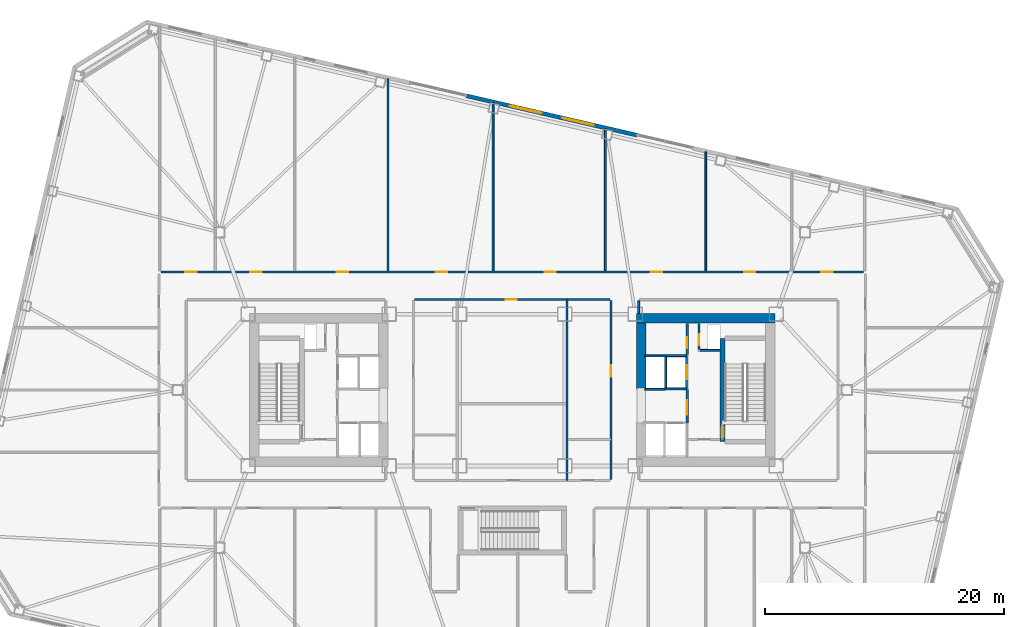
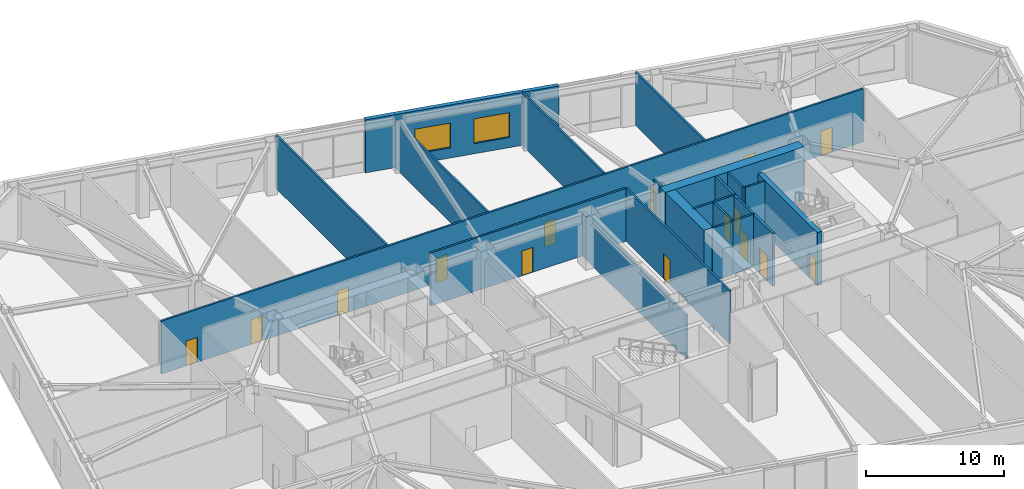
# One storey, part 12 of 20: 23 walls, 15 doors, 2 windows, 17 openings.
"""IFC4 building model written with IfcOpenShell, lengths in metres."""

from ifc_helpers import new_model, si_unit, direction, frame, frame_2d, origin, place, context, subcontext, project, spatial, rectangle, extrude, material, layer, layer_set, type_object, element, fill, save


model = new_model("IFC4")

# Units and contexts
model_context = context("Model", 3, precision=1e-05, world=origin(), true_north=direction((0.0, 1.0)))
body_context = subcontext(model_context, "Body", "Model", "MODEL_VIEW")
ifc_project = project(units=[si_unit("LENGTHUNIT", "METRE"), si_unit("AREAUNIT", "SQUARE_METRE"), si_unit("VOLUMEUNIT", "CUBIC_METRE"), si_unit("PLANEANGLEUNIT", "RADIAN"), si_unit("MASSUNIT", "GRAM", prefix="KILO")], contexts=[model_context])

# Site, building, storey
site_placement = place(None, origin())
site = spatial("IfcSite", under=ifc_project, at=site_placement, CompositionType="ELEMENT")
building_placement = place(site_placement, origin())
building = spatial("IfcBuilding", under=site, at=building_placement, Name="Tavrogorsk Clinical Tower", CompositionType="ELEMENT")
storey_placement = place(building_placement, frame((0.0, 0.0, 13.39990234375)))
storey = spatial("IfcBuildingStorey", under=building, at=storey_placement, Name="L02", CompositionType="ELEMENT", Elevation=13.39990234375)

# Wall, opening, door
ifc_material_1 = material(Name="Concrete B60", Category="concrete")
ifc_layer_1 = layer(ifc_material_1, 0.199951171875)
ifc_layer_set_1 = layer_set([ifc_layer_1], Name="Concrete B60")
wall_type_1 = type_object("IfcWallType", Name="CoreFireWall_200", PredefinedType="SOLIDWALL", material=ifc_layer_set_1)
wall_1_placement = place(storey_placement, frame((14.639892578125, 2.9599609375, 0.0), z_axis=(0.0, 0.0, 1.0), x_axis=(0.0, 1.0, 0.0)))
wall_1 = element("IfcWall", 1, at=wall_1_placement, inside=storey, type_object=wall_type_1, Name="L02 Core East North Core Room East Wall", PredefinedType="SOLIDWALL", context=body_context, shape_type="SweptSolid", body=[
    extrude(rectangle(XDim=2.60009765625, YDim=0.199951171875, at=frame_2d((1.300048828125, 0.0))), origin(), (0.0, 0.0, 1.0), 4.7001953125),
])
opening_1_placement = place(wall_1_placement, frame((0.52001953125, 0.0, 0.0)))
opening_1 = element("IfcOpeningElement", 2, at=opening_1_placement, cuts=wall_1, Name="Opening ID-02", PredefinedType="OPENING", context=body_context, shape_type="SweptSolid", body=[
    extrude(rectangle(XDim=0.949951171875, YDim=2.199951171875, at=frame_2d((0.47509765625, 1.10009765625))), frame((0.0, 0.10986328125, 0.0), z_axis=(0.0, -1.0, 0.0), x_axis=(1.0, 0.0, 0.0)), (0.0, 0.0, 1.0), 0.219970703125),
])
ifc_material_2 = material(Name="Laminated timber leaf on aluminium frame", Category="wood")
door_type_1 = type_object("IfcDoorType", Name="InteriorDoor_ID02_950", OperationType="NOTDEFINED", PredefinedType="DOOR", material=ifc_material_2)
door_1_placement = place(opening_1_placement, origin())
door_1 = element("IfcDoor", 3, at=door_1_placement, inside=storey, type_object=door_type_1, Name="L02 Core East Core Telemetry Room Door", OperationType="SINGLE_SWING_LEFT", OverallHeight=2.199951171875, OverallWidth=0.949951171875, PredefinedType="DOOR", context=body_context, shape_type="SweptSolid", body=[
    extrude(rectangle(XDim=0.949951171875, YDim=2.199951171875, at=frame_2d((0.47509765625, 1.10009765625))), frame((0.0, 0.02490234375, 0.0), z_axis=(0.0, -1.0, 0.0), x_axis=(1.0, 0.0, 0.0)), (0.0, 0.0, 1.0), 0.050048828125),
])
fill(opening_1, door_1)

wall_2_placement = place(storey_placement, frame((14.639892578125, -2.780029296875, 0.0), z_axis=(0.0, 0.0, 1.0), x_axis=(0.0, 1.0, 0.0)))
wall_2 = element("IfcWall", 4, at=wall_2_placement, inside=storey, type_object=wall_type_1, Name="L02 Core East Firefighting Lobby Fire Wall", PredefinedType="SOLIDWALL", context=body_context, shape_type="SweptSolid", body=[
    extrude(rectangle(XDim=2.820068359375, YDim=0.199951171875, at=frame_2d((1.41015625, 0.0))), origin(), (0.0, 0.0, 1.0), 4.7001953125),
])
opening_2_placement = place(wall_2_placement, frame((0.72998046875, 0.0, 0.0)))
opening_2 = element("IfcOpeningElement", 5, at=opening_2_placement, cuts=wall_2, Name="Opening FD-01", PredefinedType="OPENING", context=body_context, shape_type="SweptSolid", body=[
    extrude(rectangle(XDim=1.199951171875, YDim=2.199951171875, at=frame_2d((0.60009765625, 1.10009765625))), frame((0.0, 0.10986328125, 0.0), z_axis=(0.0, -1.0, 0.0), x_axis=(1.0, 0.0, 0.0)), (0.0, 0.0, 1.0), 0.219970703125),
])
ifc_material_3 = material(Name="Galvanised steel fire-rated door assembly", Category="steel")
door_type_2 = type_object("IfcDoorType", Name="FireDoor_FD01_1200", OperationType="NOTDEFINED", PredefinedType="DOOR", material=ifc_material_3)
door_2_placement = place(opening_2_placement, origin())
door_2 = element("IfcDoor", 6, at=door_2_placement, inside=storey, type_object=door_type_2, Name="L02 Core East Firefighting Lobby Entry Door", OperationType="SINGLE_SWING_RIGHT", OverallHeight=2.199951171875, OverallWidth=1.199951171875, PredefinedType="DOOR", context=body_context, shape_type="SweptSolid", body=[
    extrude(rectangle(XDim=1.199951171875, YDim=2.199951171875, at=frame_2d((0.60009765625, 1.10009765625))), frame((0.0, 0.02490234375, 0.0), z_axis=(0.0, -1.0, 0.0), x_axis=(1.0, 0.0, 0.0)), (0.0, 0.0, 1.0), 0.050048828125),
])
fill(opening_2, door_2)

# Wall, openings, doors
ifc_material_4 = material(Name="Lightweight concrete blockwork B15", Category="masonry")
ifc_layer_2 = layer(ifc_material_4, 0.159912109375)
ifc_layer_set_2 = layer_set([ifc_layer_2], Name="Lightweight concrete blockwork B15")
wall_type_2 = type_object("IfcWallType", Name="PartitionWall_160", PredefinedType="PARTITIONING", material=ifc_layer_set_2)
wall_3_placement = place(storey_placement, frame((-29.4150390625, 9.8798828125, 0.0), z_axis=(0.0, 0.0, 1.0), x_axis=(1.0, 0.0, 0.0)))
wall_3 = element("IfcWall", 7, at=wall_3_placement, inside=storey, type_object=wall_type_2, Name="L02 Corridor Partition 02", PredefinedType="PARTITIONING", context=body_context, shape_type="SweptSolid", body=[
    extrude(rectangle(XDim=58.830078125, YDim=0.159912109375, at=frame_2d((29.4150390625, 0.0))), origin(), (0.0, 0.0, 1.0), 4.7001953125),
])
opening_3_placement = place(wall_3_placement, frame((2.044189453125, 0.0, 0.0)))
opening_3 = element("IfcOpeningElement", 8, at=opening_3_placement, cuts=wall_3, Name="Opening ID-02", PredefinedType="OPENING", context=body_context, shape_type="SweptSolid", body=[
    extrude(rectangle(XDim=0.949951171875, YDim=2.199951171875, at=frame_2d((0.47509765625, 1.10009765625))), frame((0.0, 0.08984375, 0.0), z_axis=(0.0, -1.0, 0.0), x_axis=(1.0, 0.0, 0.0)), (0.0, 0.0, 1.0), 0.179931640625),
])
opening_4_placement = place(wall_3_placement, frame((7.5, 0.0, 0.0)))
opening_4 = element("IfcOpeningElement", 9, at=opening_4_placement, cuts=wall_3, Name="Opening ID-02", PredefinedType="OPENING", context=body_context, shape_type="SweptSolid", body=[
    extrude(rectangle(XDim=0.949951171875, YDim=2.199951171875, at=frame_2d((0.47509765625, 1.10009765625))), frame((0.0, 0.08984375, 0.0), z_axis=(0.0, -1.0, 0.0), x_axis=(1.0, 0.0, 0.0)), (0.0, 0.0, 1.0), 0.179931640625),
])
opening_5_placement = place(wall_3_placement, frame((14.72509765625, 0.0, 0.0)))
opening_5 = element("IfcOpeningElement", 10, at=opening_5_placement, cuts=wall_3, Name="Opening ID-02", PredefinedType="OPENING", context=body_context, shape_type="SweptSolid", body=[
    extrude(rectangle(XDim=0.949951171875, YDim=2.199951171875, at=frame_2d((0.47509765625, 1.10009765625))), frame((0.0, 0.08984375, 0.0), z_axis=(0.0, -1.0, 0.0), x_axis=(1.0, 0.0, 0.0)), (0.0, 0.0, 1.0), 0.179931640625),
])
opening_6_placement = place(wall_3_placement, frame((23.02490234375, 0.0, 0.0)))
opening_6 = element("IfcOpeningElement", 11, at=opening_6_placement, cuts=wall_3, Name="Opening ID-02", PredefinedType="OPENING", context=body_context, shape_type="SweptSolid", body=[
    extrude(rectangle(XDim=0.949951171875, YDim=2.199951171875, at=frame_2d((0.47509765625, 1.10009765625))), frame((0.0, 0.08984375, 0.0), z_axis=(0.0, -1.0, 0.0), x_axis=(1.0, 0.0, 0.0)), (0.0, 0.0, 1.0), 0.179931640625),
])
opening_7_placement = place(wall_3_placement, frame((32.125, 0.0, 0.0)))
opening_7 = element("IfcOpeningElement", 12, at=opening_7_placement, cuts=wall_3, Name="Opening ID-02", PredefinedType="OPENING", context=body_context, shape_type="SweptSolid", body=[
    extrude(rectangle(XDim=0.949951171875, YDim=2.199951171875, at=frame_2d((0.47509765625, 1.10009765625))), frame((0.0, 0.08984375, 0.0), z_axis=(0.0, -1.0, 0.0), x_axis=(1.0, 0.0, 0.0)), (0.0, 0.0, 1.0), 0.179931640625),
])
opening_8_placement = place(wall_3_placement, frame((41.02490234375, 0.0, 0.0)))
opening_8 = element("IfcOpeningElement", 13, at=opening_8_placement, cuts=wall_3, Name="Opening ID-02", PredefinedType="OPENING", context=body_context, shape_type="SweptSolid", body=[
    extrude(rectangle(XDim=0.949951171875, YDim=2.199951171875, at=frame_2d((0.47509765625, 1.10009765625))), frame((0.0, 0.08984375, 0.0), z_axis=(0.0, -1.0, 0.0), x_axis=(1.0, 0.0, 0.0)), (0.0, 0.0, 1.0), 0.179931640625),
])
opening_9_placement = place(wall_3_placement, frame((48.824951171875, 0.0, 0.0)))
opening_9 = element("IfcOpeningElement", 14, at=opening_9_placement, cuts=wall_3, Name="Opening ID-02", PredefinedType="OPENING", context=body_context, shape_type="SweptSolid", body=[
    extrude(rectangle(XDim=0.949951171875, YDim=2.199951171875, at=frame_2d((0.47509765625, 1.10009765625))), frame((0.0, 0.08984375, 0.0), z_axis=(0.0, -1.0, 0.0), x_axis=(1.0, 0.0, 0.0)), (0.0, 0.0, 1.0), 0.179931640625),
])
opening_10_placement = place(wall_3_placement, frame((55.281005859375, 0.0, 0.0)))
opening_10 = element("IfcOpeningElement", 15, at=opening_10_placement, cuts=wall_3, Name="Opening ID-02", PredefinedType="OPENING", context=body_context, shape_type="SweptSolid", body=[
    extrude(rectangle(XDim=0.949951171875, YDim=2.199951171875, at=frame_2d((0.47509765625, 1.10009765625))), frame((0.0, 0.08984375, 0.0), z_axis=(0.0, -1.0, 0.0), x_axis=(1.0, 0.0, 0.0)), (0.0, 0.0, 1.0), 0.179931640625),
])
door_3_placement = place(opening_3_placement, origin())
door_3 = element("IfcDoor", 16, at=door_3_placement, inside=storey, type_object=door_type_1, Name="L02 North Clinical Pathology Laboratory 01 Door", OperationType="SINGLE_SWING_LEFT", OverallHeight=2.199951171875, OverallWidth=0.949951171875, PredefinedType="DOOR", context=body_context, shape_type="SweptSolid", body=[
    extrude(rectangle(XDim=0.949951171875, YDim=2.199951171875, at=frame_2d((0.47509765625, 1.10009765625))), frame((0.0, 0.02490234375, 0.0), z_axis=(0.0, -1.0, 0.0), x_axis=(1.0, 0.0, 0.0)), (0.0, 0.0, 1.0), 0.050048828125),
])
fill(opening_3, door_3)
door_4_placement = place(opening_4_placement, origin())
door_4 = element("IfcDoor", 17, at=door_4_placement, inside=storey, type_object=door_type_1, Name="L02 North Blood Bank & Transfusion Store 02 Door", OperationType="SINGLE_SWING_RIGHT", OverallHeight=2.199951171875, OverallWidth=0.949951171875, PredefinedType="DOOR", context=body_context, shape_type="SweptSolid", body=[
    extrude(rectangle(XDim=0.949951171875, YDim=2.199951171875, at=frame_2d((0.47509765625, 1.10009765625))), frame((0.0, 0.02490234375, 0.0), z_axis=(0.0, -1.0, 0.0), x_axis=(1.0, 0.0, 0.0)), (0.0, 0.0, 1.0), 0.050048828125),
])
fill(opening_4, door_4)
door_5_placement = place(opening_5_placement, origin())
door_5 = element("IfcDoor", 18, at=door_5_placement, inside=storey, type_object=door_type_1, Name="L02 North Clinical Pathology Laboratory 03 Door", OperationType="SINGLE_SWING_LEFT", OverallHeight=2.199951171875, OverallWidth=0.949951171875, PredefinedType="DOOR", context=body_context, shape_type="SweptSolid", body=[
    extrude(rectangle(XDim=0.949951171875, YDim=2.199951171875, at=frame_2d((0.47509765625, 1.10009765625))), frame((0.0, 0.02490234375, 0.0), z_axis=(0.0, -1.0, 0.0), x_axis=(1.0, 0.0, 0.0)), (0.0, 0.0, 1.0), 0.050048828125),
])
fill(opening_5, door_5)
door_6_placement = place(opening_6_placement, origin())
door_6 = element("IfcDoor", 19, at=door_6_placement, inside=storey, type_object=door_type_1, Name="L02 North Blood Bank & Transfusion Store 04 Door", OperationType="SINGLE_SWING_RIGHT", OverallHeight=2.199951171875, OverallWidth=0.949951171875, PredefinedType="DOOR", context=body_context, shape_type="SweptSolid", body=[
    extrude(rectangle(XDim=0.949951171875, YDim=2.199951171875, at=frame_2d((0.47509765625, 1.10009765625))), frame((0.0, 0.02490234375, 0.0), z_axis=(0.0, -1.0, 0.0), x_axis=(1.0, 0.0, 0.0)), (0.0, 0.0, 1.0), 0.050048828125),
])
fill(opening_6, door_6)
door_7_placement = place(opening_7_placement, origin())
door_7 = element("IfcDoor", 20, at=door_7_placement, inside=storey, type_object=door_type_1, Name="L02 North Clinical Pathology Laboratory 05 Door", OperationType="SINGLE_SWING_LEFT", OverallHeight=2.199951171875, OverallWidth=0.949951171875, PredefinedType="DOOR", context=body_context, shape_type="SweptSolid", body=[
    extrude(rectangle(XDim=0.949951171875, YDim=2.199951171875, at=frame_2d((0.47509765625, 1.10009765625))), frame((0.0, 0.02490234375, 0.0), z_axis=(0.0, -1.0, 0.0), x_axis=(1.0, 0.0, 0.0)), (0.0, 0.0, 1.0), 0.050048828125),
])
fill(opening_7, door_7)
door_8_placement = place(opening_8_placement, origin())
door_8 = element("IfcDoor", 21, at=door_8_placement, inside=storey, type_object=door_type_1, Name="L02 North Blood Bank & Transfusion Store 06 Door", OperationType="SINGLE_SWING_RIGHT", OverallHeight=2.199951171875, OverallWidth=0.949951171875, PredefinedType="DOOR", context=body_context, shape_type="SweptSolid", body=[
    extrude(rectangle(XDim=0.949951171875, YDim=2.199951171875, at=frame_2d((0.47509765625, 1.10009765625))), frame((0.0, 0.02490234375, 0.0), z_axis=(0.0, -1.0, 0.0), x_axis=(1.0, 0.0, 0.0)), (0.0, 0.0, 1.0), 0.050048828125),
])
fill(opening_8, door_8)
door_9_placement = place(opening_9_placement, origin())
door_9 = element("IfcDoor", 22, at=door_9_placement, inside=storey, type_object=door_type_1, Name="L02 North Clinical Pathology Laboratory 07 Door", OperationType="SINGLE_SWING_LEFT", OverallHeight=2.199951171875, OverallWidth=0.949951171875, PredefinedType="DOOR", context=body_context, shape_type="SweptSolid", body=[
    extrude(rectangle(XDim=0.949951171875, YDim=2.199951171875, at=frame_2d((0.47509765625, 1.10009765625))), frame((0.0, 0.02490234375, 0.0), z_axis=(0.0, -1.0, 0.0), x_axis=(1.0, 0.0, 0.0)), (0.0, 0.0, 1.0), 0.050048828125),
])
fill(opening_9, door_9)
door_10_placement = place(opening_10_placement, origin())
door_10 = element("IfcDoor", 23, at=door_10_placement, inside=storey, type_object=door_type_1, Name="L02 North Blood Bank & Transfusion Store 08 Door", OperationType="SINGLE_SWING_RIGHT", OverallHeight=2.199951171875, OverallWidth=0.949951171875, PredefinedType="DOOR", context=body_context, shape_type="SweptSolid", body=[
    extrude(rectangle(XDim=0.949951171875, YDim=2.199951171875, at=frame_2d((0.47509765625, 1.10009765625))), frame((0.0, 0.02490234375, 0.0), z_axis=(0.0, -1.0, 0.0), x_axis=(1.0, 0.0, 0.0)), (0.0, 0.0, 1.0), 0.050048828125),
])
fill(opening_10, door_10)

# Wall
wall_4_placement = place(storey_placement, frame((10.580078125, 7.485107421875, 0.0), z_axis=(0.0, 0.0, 1.0), x_axis=(0.0, -1.0, 0.0)))
element("IfcWall", 24, at=wall_4_placement, inside=storey, type_object=wall_type_2, Name="L02 Corridor Partition 13", PredefinedType="PARTITIONING", context=body_context, shape_type="SweptSolid", body=[
    extrude(rectangle(XDim=1.065185546875, YDim=0.159912109375, at=frame_2d((0.53271484375, 0.0))), origin(), (0.0, 0.0, 1.0), 4.7001953125),
])

# Wall, opening, door
wall_5_placement = place(storey_placement, frame((8.18505859375, 7.570068359375, 0.0), z_axis=(0.0, 0.0, 1.0), x_axis=(-1.0, 0.0, 0.0)))
wall_5 = element("IfcWall", 25, at=wall_5_placement, inside=storey, type_object=wall_type_2, Name="L02 Corridor Partition 17", PredefinedType="PARTITIONING", context=body_context, shape_type="SweptSolid", body=[
    extrude(rectangle(XDim=16.3701171875, YDim=0.159912109375, at=frame_2d((8.18505859375, 0.0))), origin(), (0.0, 0.0, 1.0), 4.7001953125),
])
opening_11_placement = place(wall_5_placement, frame((7.794921875, 0.0, 0.0)))
opening_11 = element("IfcOpeningElement", 26, at=opening_11_placement, cuts=wall_5, Name="Opening ID-02", PredefinedType="OPENING", context=body_context, shape_type="SweptSolid", body=[
    extrude(rectangle(XDim=0.949951171875, YDim=2.199951171875, at=frame_2d((0.47509765625, 1.10009765625))), frame((0.0, 0.08984375, 0.0), z_axis=(0.0, -1.0, 0.0), x_axis=(1.0, 0.0, 0.0)), (0.0, 0.0, 1.0), 0.179931640625),
])
door_11_placement = place(opening_11_placement, origin())
door_11 = element("IfcDoor", 27, at=door_11_placement, inside=storey, type_object=door_type_1, Name="L02 Nurses' Station & Triage Hub Door", OperationType="SINGLE_SWING_LEFT", OverallHeight=2.199951171875, OverallWidth=0.949951171875, PredefinedType="DOOR", context=body_context, shape_type="SweptSolid", body=[
    extrude(rectangle(XDim=0.949951171875, YDim=2.199951171875, at=frame_2d((0.47509765625, 1.10009765625))), frame((0.0, 0.02490234375, 0.0), z_axis=(0.0, -1.0, 0.0), x_axis=(1.0, 0.0, 0.0)), (0.0, 0.0, 1.0), 0.050048828125),
])
fill(opening_11, door_11)

wall_6_placement = place(storey_placement, frame((8.27001953125, -7.485107421875, 0.0), z_axis=(0.0, 0.0, 1.0), x_axis=(0.0, 1.0, 0.0)))
wall_6 = element("IfcWall", 28, at=wall_6_placement, inside=storey, type_object=wall_type_2, Name="L02 Corridor Partition 20", PredefinedType="PARTITIONING", context=body_context, shape_type="SweptSolid", body=[
    extrude(rectangle(XDim=14.97021484375, YDim=0.159912109375, at=frame_2d((7.485107421875, 0.0))), origin(), (0.0, 0.0, 1.0), 4.7001953125),
])
opening_12_placement = place(wall_6_placement, frame((8.61083984375, 0.0, 0.0)))
opening_12 = element("IfcOpeningElement", 29, at=opening_12_placement, cuts=wall_6, Name="Opening ID-02", PredefinedType="OPENING", context=body_context, shape_type="SweptSolid", body=[
    extrude(rectangle(XDim=0.949951171875, YDim=2.199951171875, at=frame_2d((0.47509765625, 1.10009765625))), frame((0.0, 0.08984375, 0.0), z_axis=(0.0, -1.0, 0.0), x_axis=(1.0, 0.0, 0.0)), (0.0, 0.0, 1.0), 0.179931640625),
])
door_12_placement = place(opening_12_placement, origin())
door_12 = element("IfcDoor", 30, at=door_12_placement, inside=storey, type_object=door_type_1, Name="L02 Attending Physician Office Door", OperationType="SINGLE_SWING_LEFT", OverallHeight=2.199951171875, OverallWidth=0.949951171875, PredefinedType="DOOR", context=body_context, shape_type="SweptSolid", body=[
    extrude(rectangle(XDim=0.949951171875, YDim=2.199951171875, at=frame_2d((0.47509765625, 1.10009765625))), frame((0.0, 0.02490234375, 0.0), z_axis=(0.0, -1.0, 0.0), x_axis=(1.0, 0.0, 0.0)), (0.0, 0.0, 1.0), 0.050048828125),
])
fill(opening_12, door_12)

# Walls
wall_7_placement = place(storey_placement, frame((-10.39990234375, 9.965087890625, 0.0), z_axis=(0.0, 0.0, 1.0), x_axis=(0.0, 1.0, 0.0)))
element("IfcWall", 31, at=wall_7_placement, inside=storey, type_object=wall_type_2, Name="L02 North Room Partition 3", PredefinedType="PARTITIONING", context=body_context, shape_type="SweptSolid", body=[
    extrude(rectangle(XDim=16.10888671875, YDim=0.159912109375, at=frame_2d((8.054443359375, 0.0))), origin(), (0.0, 0.0, 1.0), 4.7001953125),
])
wall_8_placement = place(storey_placement, frame((-1.60009765625, 9.965087890625, 0.0), z_axis=(0.0, 0.0, 1.0), x_axis=(0.0, 1.0, 0.0)))
element("IfcWall", 32, at=wall_8_placement, inside=storey, type_object=wall_type_2, Name="L02 North Room Partition 4", PredefinedType="PARTITIONING", context=body_context, shape_type="SweptSolid", body=[
    extrude(rectangle(XDim=14.077392578125, YDim=0.159912109375, at=frame_2d((7.03857421875, 0.0))), origin(), (0.0, 0.0, 1.0), 4.195068359375),
])
wall_9_placement = place(storey_placement, frame((7.800048828125, 9.965087890625, 0.0), z_axis=(0.0, 0.0, 1.0), x_axis=(0.0, 1.0, 0.0)))
element("IfcWall", 33, at=wall_9_placement, inside=storey, type_object=wall_type_2, Name="L02 North Room Partition 5", PredefinedType="PARTITIONING", context=body_context, shape_type="SweptSolid", body=[
    extrude(rectangle(XDim=11.9072265625, YDim=0.159912109375, at=frame_2d((5.95361328125, 0.0))), origin(), (0.0, 0.0, 1.0), 4.7001953125),
])
wall_10_placement = place(storey_placement, frame((16.199951171875, 9.965087890625, 0.0), z_axis=(0.0, 0.0, 1.0), x_axis=(0.0, 1.0, 0.0)))
element("IfcWall", 34, at=wall_10_placement, inside=storey, type_object=wall_type_2, Name="L02 North Room Partition 6", PredefinedType="PARTITIONING", context=body_context, shape_type="SweptSolid", body=[
    extrude(rectangle(XDim=9.9677734375, YDim=0.159912109375, at=frame_2d((4.98388671875, 0.0))), origin(), (0.0, 0.0, 1.0), 4.7001953125),
])
ifc_material_5 = material(Name="Lightweight concrete blockwork B20", Category="masonry")
ifc_layer_3 = layer(ifc_material_5, 0.179931640625)
ifc_layer_set_3 = layer_set([ifc_layer_3], Name="Lightweight concrete blockwork B20")
wall_type_3 = type_object("IfcWallType", Name="PartitionWall_180", PredefinedType="PARTITIONING", material=ifc_layer_set_3)
wall_11_placement = place(storey_placement, frame((4.60009765625, -7.56494140625, 0.0), z_axis=(0.0, 0.0, 1.0), x_axis=(0.0, 1.0, 0.0)))
element("IfcWall", 35, at=wall_11_placement, inside=storey, type_object=wall_type_3, Name="L02 Central Spine Partition 2", PredefinedType="PARTITIONING", context=body_context, shape_type="SweptSolid", body=[
    extrude(rectangle(XDim=15.1298828125, YDim=0.179931640625, at=frame_2d((7.56494140625, 0.0))), origin(), (0.0, 0.0, 1.0), 3.89501953125),
])

# Wall, openings, windows
ifc_material_6 = material(Name="Precast concrete B45 with limestone cladding", Category="masonry")
ifc_layer_4 = layer(ifc_material_6, 0.340087890625)
ifc_layer_set_4 = layer_set([ifc_layer_4], Name="Precast concrete B45 with limestone cladding")
wall_type_4 = type_object("IfcWallType", Name="PrecastLimestoneWall_340", PredefinedType="STANDARD", material=ifc_layer_set_4)
wall_12_placement = place(storey_placement, frame((10.480712890625, 21.3251953125, 0.0), z_axis=(0.0, 0.0, 1.0), x_axis=(-0.974369353393, 0.2249541357, 0.0)))
wall_12 = element("IfcWall", 36, at=wall_12_placement, inside=storey, type_object=wall_type_4, Name="L02 N Limestone Facade Wall 2", PredefinedType="STANDARD", context=body_context, shape_type="SweptSolid", body=[
    extrude(rectangle(XDim=14.697021484375, YDim=0.340087890625, at=frame_2d((7.3486328125, 0.0))), origin(), (0.0, 0.0, 1.0), 4.7001953125),
])
opening_13_placement = place(wall_12_placement, frame((8.24072265625, 0.0, 0.89990234375)))
opening_13 = element("IfcOpeningElement", 37, at=opening_13_placement, cuts=wall_12, Name="Opening WN-02", PredefinedType="OPENING", context=body_context, shape_type="SweptSolid", body=[
    extrude(rectangle(XDim=2.699951171875, YDim=2.199951171875, at=frame_2d((1.35009765625, 1.10009765625))), frame((0.0, 0.179931640625, 0.0), z_axis=(0.0, -1.0, 0.0), x_axis=(1.0, 0.0, 0.0)), (0.0, 0.0, 1.0), 0.360107421875),
])
opening_14_placement = place(wall_12_placement, frame((3.75634765625, 0.0, 0.89990234375)))
opening_14 = element("IfcOpeningElement", 38, at=opening_14_placement, cuts=wall_12, Name="Opening WN-02", PredefinedType="OPENING", context=body_context, shape_type="SweptSolid", body=[
    extrude(rectangle(XDim=2.699951171875, YDim=2.199951171875, at=frame_2d((1.35009765625, 1.10009765625))), frame((0.0, 0.179931640625, 0.0), z_axis=(0.0, -1.0, 0.0), x_axis=(1.0, 0.0, 0.0)), (0.0, 0.0, 1.0), 0.360107421875),
])
ifc_material_7 = material(Name="Thermally broken aluminium frame and triple IGU", Category="aluminium")
window_type = type_object("IfcWindowType", Name="WardChicagoWin_2700x2200", PartitioningType="TRIPLE_PANEL_HORIZONTAL", PredefinedType="WINDOW", material=ifc_material_7)
window_1_placement = place(opening_13_placement, origin())
window_1 = element("IfcWindow", 39, at=window_1_placement, inside=storey, type_object=window_type, Name="L02 N Chicago Window 05", OverallHeight=2.199951171875, OverallWidth=2.699951171875, PartitioningType="SINGLE_PANEL", PredefinedType="WINDOW", context=body_context, shape_type="SweptSolid", body=[
    extrude(rectangle(XDim=2.699951171875, YDim=2.199951171875, at=frame_2d((1.35009765625, 1.10009765625))), frame((0.0, 0.030029296875, 0.0), z_axis=(0.0, -1.0, 0.0), x_axis=(1.0, 0.0, 0.0)), (0.0, 0.0, 1.0), 0.06005859375),
])
fill(opening_13, window_1)
window_2_placement = place(opening_14_placement, origin())
window_2 = element("IfcWindow", 40, at=window_2_placement, inside=storey, type_object=window_type, Name="L02 N Chicago Window 06", OverallHeight=2.199951171875, OverallWidth=2.699951171875, PartitioningType="SINGLE_PANEL", PredefinedType="WINDOW", context=body_context, shape_type="SweptSolid", body=[
    extrude(rectangle(XDim=2.699951171875, YDim=2.199951171875, at=frame_2d((1.35009765625, 1.10009765625))), frame((0.0, 0.030029296875, 0.0), z_axis=(0.0, -1.0, 0.0), x_axis=(1.0, 0.0, 0.0)), (0.0, 0.0, 1.0), 0.06005859375),
])
fill(opening_14, window_2)

# Wall, opening, door
ifc_material_8 = material(Name="Lightweight concrete blockwork B25", Category="masonry")
ifc_layer_5 = layer(ifc_material_8, 0.159912109375)
ifc_layer_set_5 = layer_set([ifc_layer_5], Name="Lightweight concrete blockwork B25")
wall_type_5 = type_object("IfcWallType", Name="ShaftWall_160", PredefinedType="PARTITIONING", material=ifc_layer_set_5)
wall_13_placement = place(storey_placement, frame((14.60009765625, 0.1201171875, 0.0), z_axis=(0.0, 0.0, 1.0), x_axis=(0.0, 1.0, 0.0)))
wall_13 = element("IfcWall", 41, at=wall_13_placement, inside=storey, type_object=wall_type_5, Name="L02 FFL-E Firefighting Lift Front Wall", PredefinedType="PARTITIONING", context=body_context, shape_type="SweptSolid", body=[
    extrude(rectangle(XDim=2.739990234375, YDim=0.159912109375, at=frame_2d((1.3701171875, 0.0))), origin(), (0.0, 0.0, 1.0), 4.7001953125),
])
opening_15_placement = place(wall_13_placement, frame((0.77001953125, 0.0, 0.0)))
opening_15 = element("IfcOpeningElement", 42, at=opening_15_placement, cuts=wall_13, Name="Opening LD", PredefinedType="OPENING", context=body_context, shape_type="SweptSolid", body=[
    extrude(rectangle(XDim=1.199951171875, YDim=2.199951171875, at=frame_2d((0.60009765625, 1.10009765625))), frame((0.0, 0.08984375, 0.0), z_axis=(0.0, -1.0, 0.0), x_axis=(1.0, 0.0, 0.0)), (0.0, 0.0, 1.0), 0.179931640625),
])
ifc_material_9 = material(Name="Brushed stainless steel AISI 304 sliding doors", Category="steel")
door_type_3 = type_object("IfcDoorType", Name="LiftLandingDoor_LD_1200", OperationType="SLIDING_TO_LEFT", PredefinedType="DOOR", material=ifc_material_9)
door_13_placement = place(opening_15_placement, origin())
door_13 = element("IfcDoor", 43, at=door_13_placement, inside=storey, type_object=door_type_3, Name="L02 FFL-E Sliding Lift Landing Door", OperationType="SLIDING_TO_LEFT", OverallHeight=2.199951171875, OverallWidth=1.199951171875, PredefinedType="DOOR", context=body_context, shape_type="SweptSolid", body=[
    extrude(rectangle(XDim=1.199951171875, YDim=2.199951171875, at=frame_2d((0.60009765625, 1.10009765625))), frame((0.0, 0.02490234375, 0.0), z_axis=(0.0, -1.0, 0.0), x_axis=(1.0, 0.0, 0.0)), (0.0, 0.0, 1.0), 0.050048828125),
])
fill(opening_15, door_13)

# Walls
for number, where, z_axis, x_axis, name in (
    (44, (12.840087890625, 0.10009765625, 0.0), (0.0, 0.0, 1.0), (1.0, 0.0, 0.0), "L02 FFL-E Shaft South Wall"),
    (45, (12.840087890625, 2.8798828125, 0.0), (0.0, 0.0, 1.0), (1.0, 0.0, 0.0), "L02 FFL-E Shaft North Wall"),
):
    element("IfcWall", number, at=place(storey_placement, frame(where, z_axis=z_axis, x_axis=x_axis)), inside=storey, type_object=wall_type_5, Name=name, PredefinedType="PARTITIONING", context=body_context, shape_type="SweptSolid", body=[
        extrude(rectangle(XDim=1.760009765625, YDim=0.159912109375, at=frame_2d((0.8798828125, 0.0))), origin(), (0.0, 0.0, 1.0), 4.7001953125),
    ])
wall_14_placement = place(storey_placement, frame((12.840087890625, 0.179931640625, 0.0), z_axis=(0.0, 0.0, 1.0), x_axis=(0.0, 1.0, 0.0)))
element("IfcWall", 46, at=wall_14_placement, inside=storey, type_object=wall_type_5, Name="L02 FFL-E Shaft Back Wall", PredefinedType="PARTITIONING", context=body_context, shape_type="SweptSolid", body=[
    extrude(rectangle(XDim=2.6201171875, YDim=0.159912109375, at=frame_2d((1.31005859375, 0.0))), origin(), (0.0, 0.0, 1.0), 4.7001953125),
])
for number, where, z_axis, x_axis, name in (
    (47, (11.10009765625, 0.06005859375, 0.0), (0.0, 0.0, 1.0), (1.0, 0.0, 0.0), "L02 LP-H2 High-Zone Lift Portal Wall"),
    (48, (11.10009765625, 2.860107421875, 0.0), (0.0, 0.0, 1.0), (1.0, 0.0, 0.0), "L02 LP-H2 High-Zone Lift Rear Wall"),
):
    element("IfcWall", number, at=place(storey_placement, frame(where, z_axis=z_axis, x_axis=x_axis)), inside=storey, type_object=wall_type_5, Name=name, PredefinedType="PARTITIONING", context=body_context, shape_type="SweptSolid", body=[
        extrude(rectangle(XDim=1.719970703125, YDim=0.159912109375, at=frame_2d((0.85986328125, 0.0))), origin(), (0.0, 0.0, 1.0), 4.7001953125),
    ])

# Wall, opening, door
wall_15_placement = place(storey_placement, frame((15.639892578125, 3.405029296875, 0.0), z_axis=(0.0, 0.0, 1.0), x_axis=(0.0, 1.0, 0.0)))
wall_15 = element("IfcWall", 49, at=wall_15_placement, inside=storey, type_object=wall_type_5, Name="L02 Core East Riser West Wall", PredefinedType="PARTITIONING", context=body_context, shape_type="SweptSolid", body=[
    extrude(rectangle(XDim=2.155029296875, YDim=0.159912109375, at=frame_2d((1.07763671875, 0.0))), origin(), (0.0, 0.0, 1.0), 4.7001953125),
])
opening_16_placement = place(wall_15_placement, frame((0.35009765625, 0.0, 0.0)))
opening_16 = element("IfcOpeningElement", 50, at=opening_16_placement, cuts=wall_15, Name="Opening FD-02", PredefinedType="OPENING", context=body_context, shape_type="SweptSolid", body=[
    extrude(rectangle(XDim=0.89990234375, YDim=2.199951171875, at=frame_2d((0.449951171875, 1.10009765625))), frame((0.0, 0.08984375, 0.0), z_axis=(0.0, -1.0, 0.0), x_axis=(1.0, 0.0, 0.0)), (0.0, 0.0, 1.0), 0.179931640625),
])
ifc_material_10 = material(Name="Galvanised steel fire-rated door assembly", Category="steel")
door_type_4 = type_object("IfcDoorType", Name="FireDoor_FD02_900", OperationType="NOTDEFINED", PredefinedType="DOOR", material=ifc_material_10)
door_14_placement = place(opening_16_placement, origin())
door_14 = element("IfcDoor", 51, at=door_14_placement, inside=storey, type_object=door_type_4, Name="L02 Core East Electrical Riser Access Door", OperationType="SINGLE_SWING_LEFT", OverallHeight=2.199951171875, OverallWidth=0.89990234375, PredefinedType="DOOR", context=body_context, shape_type="SweptSolid", body=[
    extrude(rectangle(XDim=0.89990234375, YDim=2.199951171875, at=frame_2d((0.449951171875, 1.10009765625))), frame((0.0, 0.02490234375, 0.0), z_axis=(0.0, -1.0, 0.0), x_axis=(1.0, 0.0, 0.0)), (0.0, 0.0, 1.0), 0.050048828125),
])
fill(opening_16, door_14)

# Wall
wall_16_placement = place(storey_placement, frame((15.72509765625, 3.320068359375, 0.0), z_axis=(0.0, 0.0, 1.0), x_axis=(1.0, 0.0, 0.0)))
element("IfcWall", 52, at=wall_16_placement, inside=storey, type_object=wall_type_5, Name="L02 Core East Riser South Wall", PredefinedType="PARTITIONING", context=body_context, shape_type="SweptSolid", body=[
    extrude(rectangle(XDim=1.65478515625, YDim=0.159912109375, at=frame_2d((0.827392578125, 0.0))), origin(), (0.0, 0.0, 1.0), 4.7001953125),
])

# Wall, opening, door
ifc_material_11 = material(Name="Concrete B80", Category="concrete")
ifc_layer_6 = layer(ifc_material_11, 0.39990234375)
ifc_layer_set_6 = layer_set([ifc_layer_6], Name="Concrete B80")
wall_type_6 = type_object("IfcWallType", Name="ShearWall_400", PredefinedType="SHEAR", material=ifc_layer_set_6)
wall_17_placement = place(storey_placement, frame((17.60009765625, -4.324951171875, 0.0), z_axis=(0.0, 0.0, 1.0), x_axis=(0.0, 1.0, 0.0)))
wall_17 = element("IfcWall", 53, at=wall_17_placement, inside=storey, type_object=wall_type_6, Name="L02 Core East Stair Shaft Inner Shear Wall", PredefinedType="SHEAR", context=body_context, shape_type="SweptSolid", body=[
    extrude(rectangle(XDim=8.64990234375, YDim=0.39990234375, at=frame_2d((4.324951171875, 0.0))), origin(), (0.0, 0.0, 1.0), 4.7001953125),
])
opening_17_placement = place(wall_17_placement, frame((0.25, 0.0, 0.0)))
opening_17 = element("IfcOpeningElement", 54, at=opening_17_placement, cuts=wall_17, Name="Opening SD-01", PredefinedType="OPENING", context=body_context, shape_type="SweptSolid", body=[
    extrude(rectangle(XDim=1.10009765625, YDim=2.199951171875, at=frame_2d((0.550048828125, 1.10009765625))), frame((0.0, 0.2099609375, 0.0), z_axis=(0.0, -1.0, 0.0), x_axis=(1.0, 0.0, 0.0)), (0.0, 0.0, 1.0), 0.419921875),
])
ifc_material_12 = material(Name="Galvanised steel smoke-tight fire door assembly", Category="steel")
door_type_5 = type_object("IfcDoorType", Name="StairFireDoor_SD01_1100", OperationType="NOTDEFINED", PredefinedType="DOOR", material=ifc_material_12)
door_15_placement = place(opening_17_placement, origin())
door_15 = element("IfcDoor", 55, at=door_15_placement, inside=storey, type_object=door_type_5, Name="L02 ST-E Exit Stair Door", OperationType="SINGLE_SWING_RIGHT", OverallHeight=2.199951171875, OverallWidth=1.10009765625, PredefinedType="DOOR", context=body_context, shape_type="SweptSolid", body=[
    extrude(rectangle(XDim=1.10009765625, YDim=2.199951171875, at=frame_2d((0.550048828125, 1.10009765625))), frame((0.0, 0.02490234375, 0.0), z_axis=(0.0, -1.0, 0.0), x_axis=(1.0, 0.0, 0.0)), (0.0, 0.0, 1.0), 0.050048828125),
])
fill(opening_17, door_15)

# Walls
ifc_material_13 = material(Name="Concrete B80", Category="concrete")
ifc_layer_7 = layer(ifc_material_13, 0.800048828125)
ifc_layer_set_7 = layer_set([ifc_layer_7], Name="Concrete B80")
wall_type_7 = type_object("IfcWallType", Name="ShearWall_800", PredefinedType="SHEAR", material=ifc_layer_set_7)
wall_18_placement = place(storey_placement, frame((10.39990234375, 6.0, 0.0), z_axis=(0.0, 0.0, 1.0), x_axis=(1.0, 0.0, 0.0)))
element("IfcWall", 56, at=wall_18_placement, inside=storey, type_object=wall_type_7, Name="L02 Core East North Shear Wall", PredefinedType="SHEAR", context=body_context, shape_type="SweptSolid", body=[
    extrude(rectangle(XDim=11.60009765625, YDim=0.800048828125, at=frame_2d((5.800048828125, 0.0))), origin(), (0.0, 0.0, 1.0), 4.7001953125),
])
wall_19_placement = place(storey_placement, frame((10.800048828125, 0.050048828125, 0.0), z_axis=(0.0, 0.0, 1.0), x_axis=(0.0, 1.0, 0.0)))
element("IfcWall", 57, at=wall_19_placement, inside=storey, type_object=wall_type_7, Name="L02 Core East Inner North Pier", PredefinedType="SHEAR", context=body_context, shape_type="SweptSolid", body=[
    extrude(rectangle(XDim=5.550048828125, YDim=0.800048828125, at=frame_2d((2.77490234375, 0.0))), origin(), (0.0, 0.0, 1.0), 4.7001953125),
])

save(model, "model.ifc")
